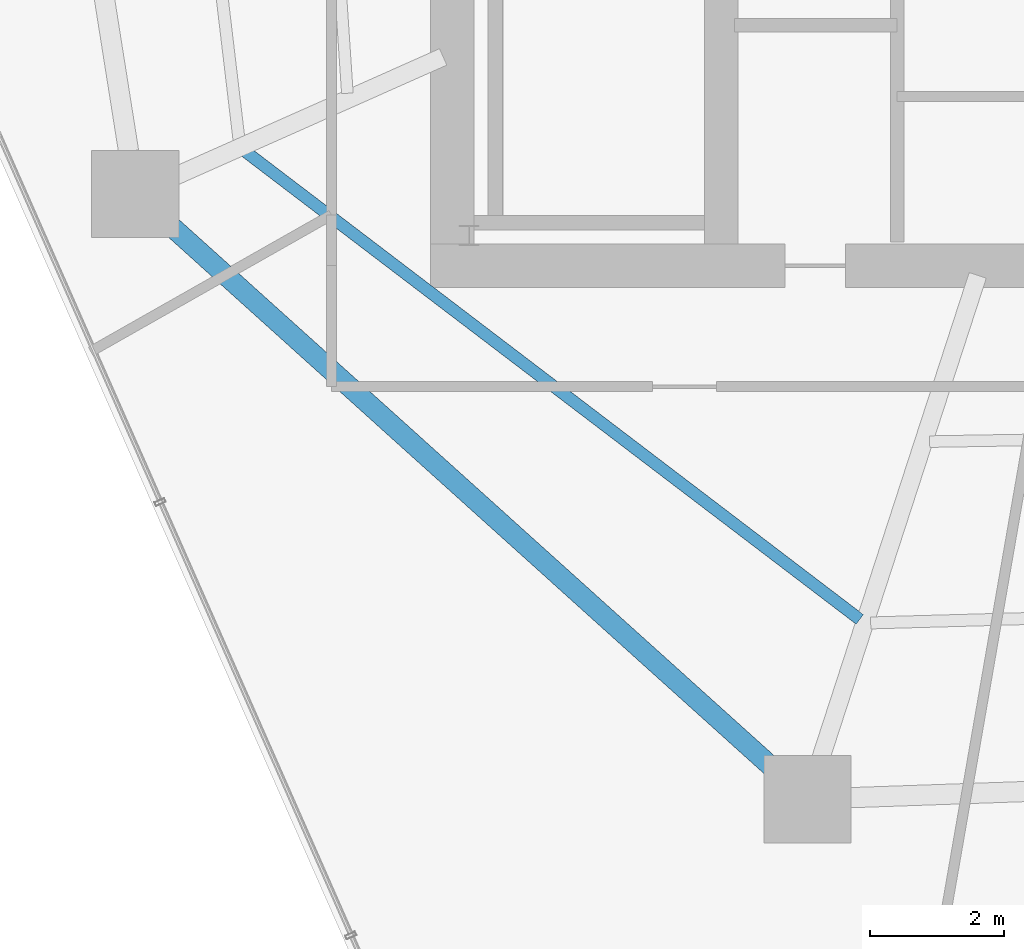
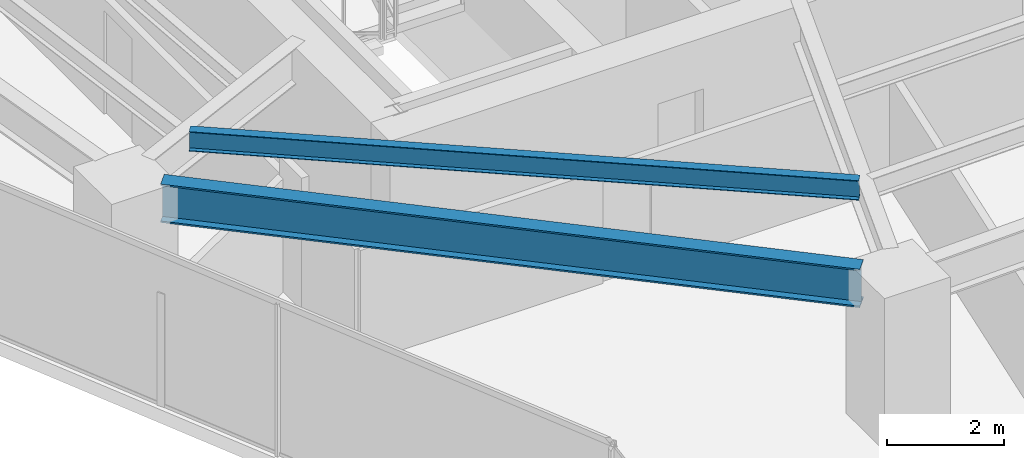
# One storey, part 4 of 28: 2 beams.
"""IFC4 building model written with IfcOpenShell, lengths in metres."""

import ifcopenshell
import ifcopenshell.guid

model = None  # the IFC model being written
_history = None  # IfcOwnerHistory: only IFC2X3 demands one
_inside = {}  # id of a spatial element -> (the spatial element, [elements in it])
_under = {}  # id of a project, library or spatial element -> (it, [spatial elements below it])
_declared = {}  # id of a project -> (the project, [libraries it declares])
_typed = {}  # id of a type object -> (the type object, [elements of that type])
_made_of = {}  # id of a material, layer set ... -> (it, [elements and type objects made of it])


def new_model(schema):
    """Start an empty IFC model of exactly this schema.

    Asked for "IFC4X3", IfcOpenShell would pick the latest addendum, in which some entities
    have other attributes; the version numbers below select the first issue.
    IFC2X3 requires an IfcOwnerHistory on every rooted entity: one is made here for all.
    """
    global model, _history
    if schema == "IFC4X3":
        model = ifcopenshell.file(schema_version=(4, 3, 0, 0))
    else:
        model = ifcopenshell.file(schema=schema)
    _inside.clear()
    _under.clear()
    _declared.clear()
    _typed.clear()
    _made_of.clear()
    _history = None
    if model.schema == "IFC2X3":
        org = make("IfcOrganization", Name="unknown")
        user = make(
            "IfcPersonAndOrganization",
            ThePerson=make("IfcPerson", FamilyName="unknown"),
            TheOrganization=org,
        )
        app = make(
            "IfcApplication",
            ApplicationDeveloper=org,
            Version="unknown",
            ApplicationFullName="unknown",
            ApplicationIdentifier="unknown",
        )
        _history = make(
            "IfcOwnerHistory",
            OwningUser=user,
            OwningApplication=app,
            ChangeAction="ADDED",
            CreationDate=0,
        )
    return model


def make(cls, **values):
    """One entity of the class cls with the attributes given. An attribute that is None is left unset."""
    return model.create_entity(
        cls, **{name: value for name, value in values.items() if value is not None}
    )


def rooted(cls, **values):
    """An entity with a GlobalId (a new one), such as an element, a storey or a relation."""
    return make(cls, GlobalId=ifcopenshell.guid.new(), OwnerHistory=_history, **values)


def si_unit(unit_type, name, prefix=None):
    """IfcSIUnit, for example si_unit("LENGTHUNIT", "METRE", prefix="MILLI")."""
    return make("IfcSIUnit", UnitType=unit_type, Prefix=prefix, Name=name)


def assignment(units):
    """IfcUnitAssignment: the units of a project."""
    return None if units is None else make("IfcUnitAssignment", Units=units)


def point(xyz):
    """IfcCartesianPoint."""
    return None if xyz is None else make("IfcCartesianPoint", Coordinates=xyz)


def direction(xyz):
    """IfcDirection."""
    return None if xyz is None else make("IfcDirection", DirectionRatios=xyz)


def frame(location, z_axis=None, x_axis=None):
    """IfcAxis2Placement3D, a coordinate frame: its origin and axes. An axis left out is left unset."""
    return make(
        "IfcAxis2Placement3D",
        Location=point(location),
        Axis=direction(z_axis),
        RefDirection=direction(x_axis),
    )


def frame_2d(location, x_axis=None):
    """IfcAxis2Placement2D, a coordinate frame in the plane: its origin and x axis."""
    return make(
        "IfcAxis2Placement2D", Location=point(location), RefDirection=direction(x_axis)
    )


def origin():
    """The frame at (0, 0, 0) with its axes left unset."""
    return frame((0.0, 0.0, 0.0))


def origin_2d():
    """The frame at (0, 0) in the plane with its x axis left unset."""
    return frame_2d((0.0, 0.0))


def place(relative_to, where):
    """IfcLocalPlacement: puts the frame where relative to a parent placement (None: the world)."""
    return make(
        "IfcLocalPlacement", PlacementRelTo=relative_to, RelativePlacement=where
    )


def context(
    kind, dimensions, precision=None, world=None, true_north=None, identifier=None
):
    """IfcGeometricRepresentationContext, for example the 3D "Model" context."""
    return make(
        "IfcGeometricRepresentationContext",
        ContextIdentifier=identifier,
        ContextType=kind,
        CoordinateSpaceDimension=dimensions,
        Precision=precision,
        WorldCoordinateSystem=world,
        TrueNorth=true_north,
    )


def subcontext(parent, identifier, kind, view, scale=None):
    """IfcGeometricRepresentationSubContext, for example "Body" below "Model"."""
    return make(
        "IfcGeometricRepresentationSubContext",
        ContextIdentifier=identifier,
        ContextType=kind,
        ParentContext=parent,
        TargetScale=scale,
        TargetView=view,
    )


def project(units=None, contexts=None):
    """IfcProject with its units and contexts."""
    return rooted(
        "IfcProject",
        Name="project",
        RepresentationContexts=contexts,
        UnitsInContext=assignment(units),
    )


def spatial(cls, under=None, at=None, **own):
    """A site, building, storey or space (cls), placed at a placement, below another one or the project."""
    s = rooted(cls, ObjectPlacement=at, **own)
    if under is not None:
        _under.setdefault(under.id(), (under, []))[1].append(s)
    return s


def profile(cls, at=None, kind="AREA", **sizes):
    """A parametric profile (cls). Its sizes go by their IFC names, for example OverallWidth=200.0."""
    return make(cls, ProfileType=kind, Position=at, **sizes)


def i_section(**sizes):
    """IfcIShapeProfileDef."""
    return profile("IfcIShapeProfileDef", **sizes)


def extrude(swept, where, along, depth):
    """IfcExtrudedAreaSolid: the profile swept, set in the frame where, extruded along a direction by depth."""
    return make(
        "IfcExtrudedAreaSolid",
        SweptArea=swept,
        Position=where,
        ExtrudedDirection=direction(along),
        Depth=depth,
    )


def shape(context_of_items, identifier, shape_type, items):
    """IfcShapeRepresentation: the items that make up one representation, for example the "Body"."""
    return make(
        "IfcShapeRepresentation",
        ContextOfItems=context_of_items,
        RepresentationIdentifier=identifier,
        RepresentationType=shape_type,
        Items=items,
    )


def material(Name=None, Category=None):
    """IfcMaterial."""
    return make("IfcMaterial", Name=Name, Category=Category)


def material_profile(
    of_material, cross_section, Name=None, Category=None, Priority=None
):
    """IfcMaterialProfile: a cross section and its material."""
    return make(
        "IfcMaterialProfile",
        Name=Name,
        Material=of_material,
        Profile=cross_section,
        Priority=Priority,
        Category=Category,
    )


def profile_set(profiles, Name=None, composite=None):
    """IfcMaterialProfileSet."""
    return make(
        "IfcMaterialProfileSet",
        Name=Name,
        MaterialProfiles=profiles,
        CompositeProfile=composite,
    )


def made_of(thing, what):
    """Note that an element or type object is made of a material, layer set ...; save() writes the relation."""
    if what is not None:
        _made_of.setdefault(what.id(), (what, []))[1].append(thing)
    return thing


def type_object(cls, material=None, **own):
    """A type object (cls), such as IfcWallType, which elements share."""
    return made_of(rooted(cls, **own), material)


def element(
    cls,
    number,
    at=None,
    inside=None,
    cuts=None,
    type_object=None,
    material=None,
    context=None,
    identifier="Body",
    shape_type=None,
    held_by="IfcProductDefinitionShape",
    body=None,
    shapes=None,
    **own,
):
    """One element of the class cls, such as IfcWall. Its Tag is "e" and its number.

    at: its placement. inside: the storey or other place that contains it. cuts: it is an
    opening in that element (IfcRelVoidsElement). A single representation is given by context,
    identifier, shape_type and body (its items); several are given by shapes. held_by: the class
    of the entity that holds the representations. save() writes the other relations.
    """
    e = rooted(cls, Tag="e%d" % number, ObjectPlacement=at, **own)
    if body is not None:
        shapes = [shape(context, identifier, shape_type, body)]
    if shapes is not None:
        e.Representation = make(held_by, Representations=shapes)
    if inside is not None:
        _inside.setdefault(inside.id(), (inside, []))[1].append(e)
    if cuts is not None:
        rooted(
            "IfcRelVoidsElement", RelatingBuildingElement=cuts, RelatedOpeningElement=e
        )
    if type_object is not None:
        _typed.setdefault(type_object.id(), (type_object, []))[1].append(e)
    return made_of(e, material)


def aggregate(whole, parts):
    """IfcRelAggregates: a whole, such as a stair, and the parts it consists of."""
    return rooted("IfcRelAggregates", RelatingObject=whole, RelatedObjects=parts)


def save(model, path):
    """Write the relations noted so far, then the file.

    IfcRelAggregates (storeys below a building ...), IfcRelContainedInSpatialStructure (elements
    in a storey), IfcRelDefinesByType, IfcRelAssociatesMaterial and IfcRelDeclares: one each for
    every whole, place, type object, material and project.
    """
    for whole, parts in _under.values():
        aggregate(whole, parts)
    for where, things in _inside.values():
        rooted(
            "IfcRelContainedInSpatialStructure",
            RelatedElements=things,
            RelatingStructure=where,
        )
    for kind, things in _typed.values():
        rooted("IfcRelDefinesByType", RelatedObjects=things, RelatingType=kind)
    for what, things in _made_of.values():
        rooted("IfcRelAssociatesMaterial", RelatedObjects=things, RelatingMaterial=what)
    for by, libraries in _declared.values():
        rooted("IfcRelDeclares", RelatingContext=by, RelatedDefinitions=libraries)
    model.write(path)


model = new_model("IFC4")

# Units and contexts
model_context = context("Model", 3, precision=1e-05, world=origin(), true_north=direction((0.0, 1.0)))
body_context = subcontext(model_context, "Body", "Model", "MODEL_VIEW")
ifc_project = project(units=[si_unit("LENGTHUNIT", "METRE"), si_unit("AREAUNIT", "SQUARE_METRE"), si_unit("VOLUMEUNIT", "CUBIC_METRE"), si_unit("PLANEANGLEUNIT", "RADIAN"), si_unit("MASSUNIT", "GRAM", prefix="KILO")], contexts=[model_context])

# Site, building, storey
site_placement = place(None, origin())
site = spatial("IfcSite", under=ifc_project, at=site_placement, CompositionType="ELEMENT")
building_placement = place(site_placement, origin())
building = spatial("IfcBuilding", under=site, at=building_placement, Name="Qarnah Convention Tower", CompositionType="ELEMENT")
storey_placement = place(building_placement, frame((0.0, 0.0, 44.25)))
storey = spatial("IfcBuildingStorey", under=building, at=storey_placement, Name="L10", CompositionType="ELEMENT", Elevation=44.25)

# Beams
ifc_material = material(Name="Structural steel S355JR", Category="steel")
ifc_material_profile_1 = material_profile(ifc_material, i_section(OverallWidth=0.177978515625, OverallDepth=0.407958984375, WebThickness=0.008056640625, FlangeThickness=0.012939453125, at=origin_2d()), Name="W410X60")
ifc_profile_set_1 = profile_set([ifc_material_profile_1], Name="Structural steel S355JR")
beam_type_1 = type_object("IfcBeamType", Name="BM-JST-W410", PredefinedType="JOIST", material=ifc_profile_set_1)
beam_1_placement = place(storey_placement, frame((23.7099609375, 20.306884765625, 2.966064453125), z_axis=(0.795571473593, -0.60585974483, 0.0), x_axis=(0.60585974483, 0.795571473593, 0.0)))
element("IfcBeam", 1, at=beam_1_placement, inside=storey, type_object=beam_type_1, Name="L10 joist BM-L10-SJST-06", PredefinedType="JOIST", context=body_context, shape_type="SweptSolid", body=[
    extrude(i_section(OverallWidth=0.177978515625, OverallDepth=0.407958984375, WebThickness=0.008056640625, FlangeThickness=0.012939453125, at=origin_2d()), origin(), (0.0, 0.0, 1.0), 11.507568359375),
])
ifc_material_profile_2 = material_profile(ifc_material, i_section(OverallWidth=0.300048828125, OverallDepth=0.800048828125, WebThickness=0.01806640625, FlangeThickness=0.032958984375, at=origin_2d()), Name="HEB800")
ifc_profile_set_2 = profile_set([ifc_material_profile_2], Name="Structural steel S355JR")
beam_type_2 = type_object("IfcBeamType", Name="BM-RING-HEB800", PredefinedType="BEAM", material=ifc_profile_set_2)
beam_2_placement = place(storey_placement, frame((22.556884765625, 19.240966796875, 2.77001953125), z_axis=(0.743082870291, -0.669199408159, 0.0), x_axis=(0.669199408159, 0.743082870291, 0.0)))
element("IfcBeam", 2, at=beam_2_placement, inside=storey, type_object=beam_type_2, Name="L10 beam BM-L10-SPN-06", PredefinedType="BEAM", context=body_context, shape_type="SweptSolid", body=[
    extrude(i_section(OverallWidth=0.300048828125, OverallDepth=0.800048828125, WebThickness=0.01806640625, FlangeThickness=0.032958984375, at=origin_2d()), origin(), (0.0, 0.0, 1.0), 12.183349609375),
])

save(model, "model.ifc")
